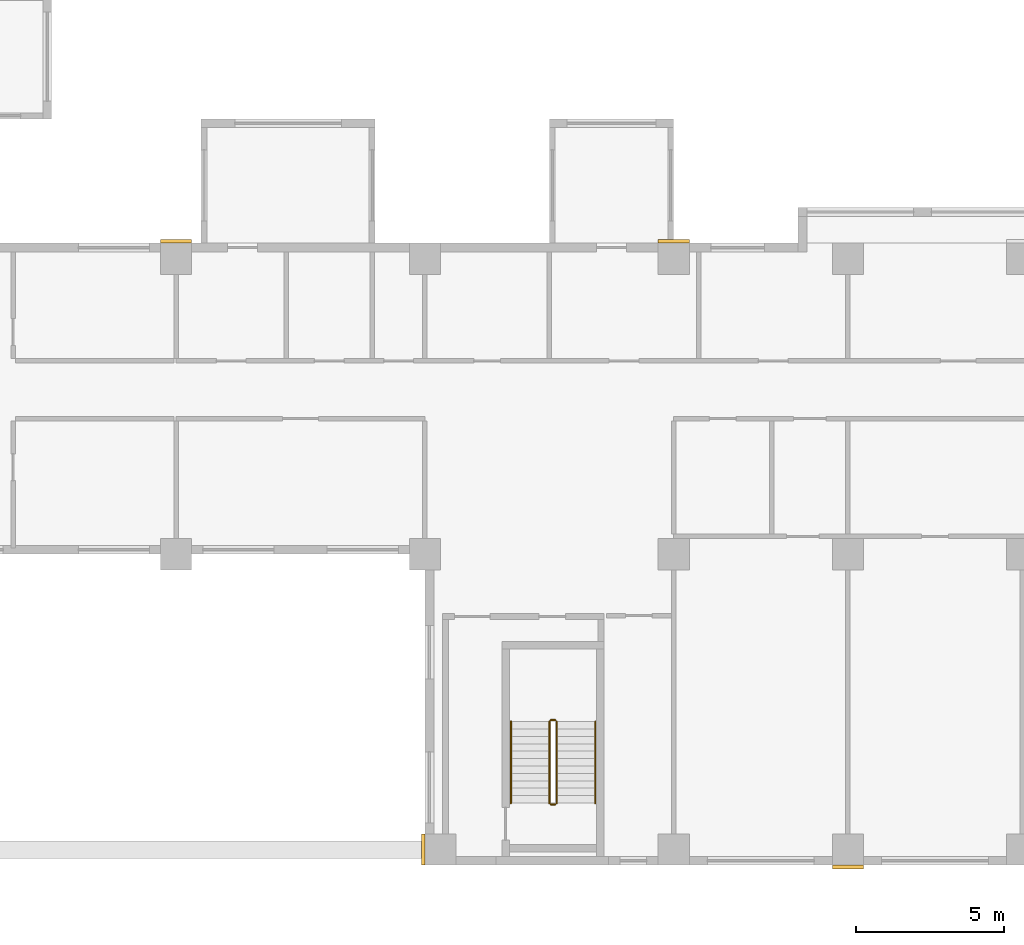
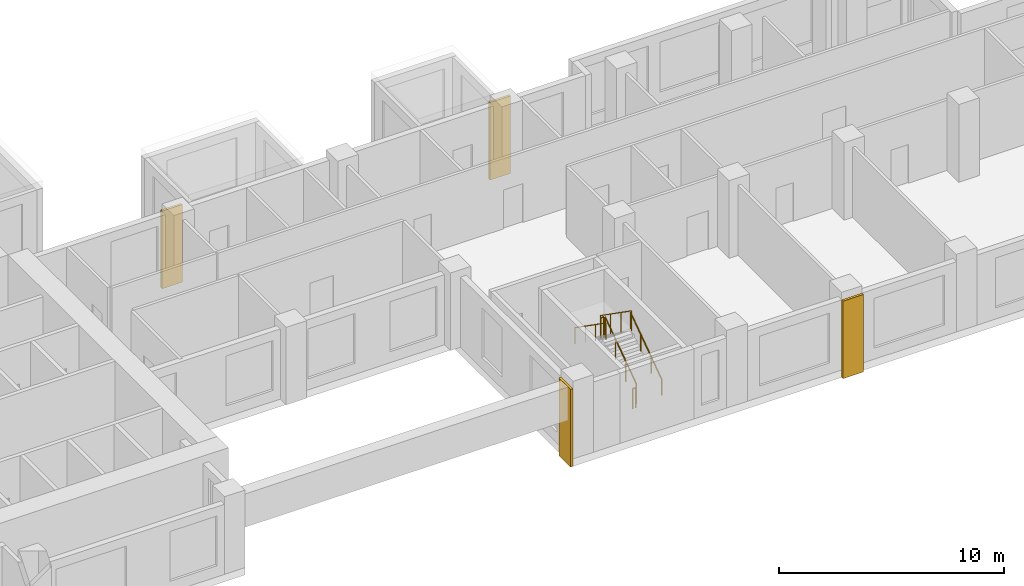
# One storey, part 11 of 14: 6 railings, 4 coverings.
"""IFC4 building model written with IfcOpenShell, lengths in metres."""

from ifc_helpers import new_model, si_unit, direction, frame, origin, origin_2d, place, context, subcontext, project, spatial, rectangle, circle, extrude, source, transform, mapped, material, type_object, element, save


model = new_model("IFC4")

# Units and contexts
model_context = context("Model", 3, precision=1e-05, world=origin(), true_north=direction((0.0, 1.0)))
body_context = subcontext(model_context, "Body", "Model", "MODEL_VIEW")
ifc_project = project(units=[si_unit("LENGTHUNIT", "METRE"), si_unit("AREAUNIT", "SQUARE_METRE"), si_unit("VOLUMEUNIT", "CUBIC_METRE"), si_unit("PLANEANGLEUNIT", "RADIAN"), si_unit("MASSUNIT", "GRAM", prefix="KILO")], contexts=[model_context])

# Site, building, storey
site_placement = place(None, origin())
site = spatial("IfcSite", under=ifc_project, at=site_placement, CompositionType="ELEMENT")
building_placement = place(site_placement, origin())
building = spatial("IfcBuilding", under=site, at=building_placement, Name="Aurelian Terraces", CompositionType="ELEMENT")
storey_placement = place(building_placement, frame((0.0, 0.0, 153.9)))
storey = spatial("IfcBuildingStorey", under=building, at=storey_placement, Name="L34", CompositionType="ELEMENT", Elevation=153.9)

# Coverings
ifc_material_1 = material(Name="Terracotta rainscreen cladding relief", Category="masonry")
covering_type = type_object("IfcCoveringType", Name="BAGUETTE-TC", PredefinedType="CLADDING", material=ifc_material_1)
shared_shape_1 = source(origin(), body_context, "Body", "SweptSolid", [
    extrude(rectangle(XDim=1.05, YDim=0.12, at=origin_2d()), origin(), (0.0, 0.0, 1.0), 4.2),
])
for number, where, z_axis, x_axis, name in (
    (1, (52.08, -0.06, -0.4), (0.0, 0.0, 1.0), (1.0, 0.0, 0.0), "BAGUETTE pier L34 3"),
    (2, (29.4, 21.06, -0.4), (0.0, 0.0, 1.0), (1.0, 0.0, 0.0), "BAGUETTE pier L34 5"),
    (3, (46.2, 21.06, -0.4), (0.0, 0.0, 1.0), (1.0, 0.0, 0.0), "BAGUETTE pier L34 6"),
):
    element("IfcCovering", number, at=place(storey_placement, frame(where, z_axis=z_axis, x_axis=x_axis)), inside=storey, type_object=covering_type, Name=name, PredefinedType="CLADDING", context=body_context, shape_type="MappedRepresentation", body=[
        mapped(shared_shape_1, transform((0.0, 0.0, 0.0), scale=1.0)),
    ])
shared_shape_2 = source(origin(), body_context, "Body", "SweptSolid", [
    extrude(rectangle(XDim=0.12, YDim=1.05, at=origin_2d()), origin(), (0.0, 0.0, 1.0), 4.2),
])
covering_placement = place(storey_placement, frame((37.74, 0.525, -0.4), z_axis=(0.0, 0.0, 1.0), x_axis=(1.0, 0.0, 0.0)))
element("IfcCovering", 4, at=covering_placement, inside=storey, type_object=covering_type, Name="BAGUETTE pier L34 2", PredefinedType="CLADDING", context=body_context, shape_type="MappedRepresentation", body=[
    mapped(shared_shape_2, transform((0.0, 0.0, 0.0), scale=1.0)),
])

# Railings
ifc_material_2 = material(Name="Stainless steel", Category="steel")
railing_type_1 = type_object("IfcRailingType", Name="Stair guard 1100", PredefinedType="GUARDRAIL", material=ifc_material_2)
shared_shape_3 = source(origin(), body_context, "Body", "SweptSolid", [
    extrude(circle(Radius=0.024, at=origin_2d()), frame((0.0, 0.0, 1.076), z_axis=(-1.0, 0.0, 0.0), x_axis=(0.0, -1.0, 0.0)), (0.0, 0.0, 1.0), 0.15),
    extrude(circle(Radius=0.021, at=origin_2d()), origin(), (0.0, 0.0, 1.0), 1.052),
    extrude(circle(Radius=0.021, at=origin_2d()), frame((-0.15, 0.0, 0.0)), (0.0, 0.0, 1.0), 1.052),
])
for number, where, name in (
    (5, (42.2, 4.9, 2.1), "L34 S2 stair guard 2"),
    (6, (42.2, 2.05, 0.0), "L34 S2 stair guard 4"),
):
    element("IfcRailing", number, at=place(storey_placement, frame(where)), inside=storey, type_object=railing_type_1, Name=name, PredefinedType="GUARDRAIL", context=body_context, shape_type="MappedRepresentation", body=[
        mapped(shared_shape_3, transform((0.0, 0.0, 0.0), scale=1.0)),
    ])
shared_shape_4 = source(origin(), body_context, "Body", "SweptSolid", [
    extrude(circle(Radius=0.024, at=origin_2d()), frame((0.0, 0.0, 1.076), z_axis=(0.0, 0.819231920519, 0.573462344363), x_axis=(-1.0, 0.0, 0.0)), (0.0, 0.0, 1.0), 3.3568),
    extrude(circle(Radius=0.021, at=origin_2d()), origin(), (0.0, 0.0, 1.0), 1.052),
    extrude(circle(Radius=0.021, at=origin_2d()), frame((0.0, 0.9167, 0.6417)), (0.0, 0.0, 1.0), 1.052),
    extrude(circle(Radius=0.021, at=origin_2d()), frame((0.0, 1.8333, 1.2833)), (0.0, 0.0, 1.0), 1.052),
    extrude(circle(Radius=0.021, at=origin_2d()), frame((0.0, 2.75, 1.925)), (0.0, 0.0, 1.0), 1.052),
])
railing_1_placement = place(storey_placement, frame((42.25, 2.1, 0.175)))
element("IfcRailing", 7, at=railing_1_placement, inside=storey, type_object=railing_type_1, Name="L34 S2 stair guard 1", PredefinedType="GUARDRAIL", context=body_context, shape_type="MappedRepresentation", body=[
    mapped(shared_shape_4, transform((0.0, 0.0, 0.0), scale=1.0)),
])
shared_shape_5 = source(origin(), body_context, "Body", "SweptSolid", [
    extrude(circle(Radius=0.024, at=origin_2d()), frame((0.0, 0.0, 1.076), z_axis=(0.0, -0.819231920519, 0.573462344363), x_axis=(1.0, 0.0, 0.0)), (0.0, 0.0, 1.0), 3.3568),
    extrude(circle(Radius=0.021, at=origin_2d()), origin(), (0.0, 0.0, 1.0), 1.052),
    extrude(circle(Radius=0.021, at=origin_2d()), frame((0.0, -0.9167, 0.6417)), (0.0, 0.0, 1.0), 1.052),
    extrude(circle(Radius=0.021, at=origin_2d()), frame((0.0, -1.8333, 1.2833)), (0.0, 0.0, 1.0), 1.052),
    extrude(circle(Radius=0.021, at=origin_2d()), frame((0.0, -2.75, 1.925)), (0.0, 0.0, 1.0), 1.052),
])
railing_2_placement = place(storey_placement, frame((42.0, 4.85, 2.275)))
element("IfcRailing", 8, at=railing_2_placement, inside=storey, type_object=railing_type_1, Name="L34 S2 stair guard 3", PredefinedType="GUARDRAIL", context=body_context, shape_type="MappedRepresentation", body=[
    mapped(shared_shape_5, transform((0.0, 0.0, 0.0), scale=1.0)),
])
railing_type_2 = type_object("IfcRailingType", Name="Stair handrail", PredefinedType="HANDRAIL", material=ifc_material_2)
shared_shape_6 = source(origin(), body_context, "Body", "SweptSolid", [
    extrude(circle(Radius=0.024, at=origin_2d()), frame((0.0, 0.0, 0.876), z_axis=(0.0, 0.819231920519, 0.573462344363), x_axis=(-1.0, 0.0, 0.0)), (0.0, 0.0, 1.0), 3.3568),
    extrude(circle(Radius=0.021, at=origin_2d()), origin(), (0.0, 0.0, 1.0), 0.852),
    extrude(circle(Radius=0.021, at=origin_2d()), frame((0.0, 0.9167, 0.6417)), (0.0, 0.0, 1.0), 0.852),
    extrude(circle(Radius=0.021, at=origin_2d()), frame((0.0, 1.8333, 1.2833)), (0.0, 0.0, 1.0), 0.852),
    extrude(circle(Radius=0.021, at=origin_2d()), frame((0.0, 2.75, 1.925)), (0.0, 0.0, 1.0), 0.852),
])
railing_3_placement = place(storey_placement, frame((43.55, 2.1, 0.175)))
element("IfcRailing", 9, at=railing_3_placement, inside=storey, type_object=railing_type_2, Name="L34 S2 stair handrail 1", PredefinedType="HANDRAIL", context=body_context, shape_type="MappedRepresentation", body=[
    mapped(shared_shape_6, transform((0.0, 0.0, 0.0), scale=1.0)),
])
shared_shape_7 = source(origin(), body_context, "Body", "SweptSolid", [
    extrude(circle(Radius=0.024, at=origin_2d()), frame((0.0, 0.0, 0.876), z_axis=(0.0, -0.819231920519, 0.573462344363), x_axis=(1.0, 0.0, 0.0)), (0.0, 0.0, 1.0), 3.3568),
    extrude(circle(Radius=0.021, at=origin_2d()), origin(), (0.0, 0.0, 1.0), 0.852),
    extrude(circle(Radius=0.021, at=origin_2d()), frame((0.0, -0.9167, 0.6417)), (0.0, 0.0, 1.0), 0.852),
    extrude(circle(Radius=0.021, at=origin_2d()), frame((0.0, -1.8333, 1.2833)), (0.0, 0.0, 1.0), 0.852),
    extrude(circle(Radius=0.021, at=origin_2d()), frame((0.0, -2.75, 1.925)), (0.0, 0.0, 1.0), 0.852),
])
railing_4_placement = place(storey_placement, frame((40.7, 4.85, 2.275)))
element("IfcRailing", 10, at=railing_4_placement, inside=storey, type_object=railing_type_2, Name="L34 S2 stair handrail 2", PredefinedType="HANDRAIL", context=body_context, shape_type="MappedRepresentation", body=[
    mapped(shared_shape_7, transform((0.0, 0.0, 0.0), scale=1.0)),
])

save(model, "model.ifc")
